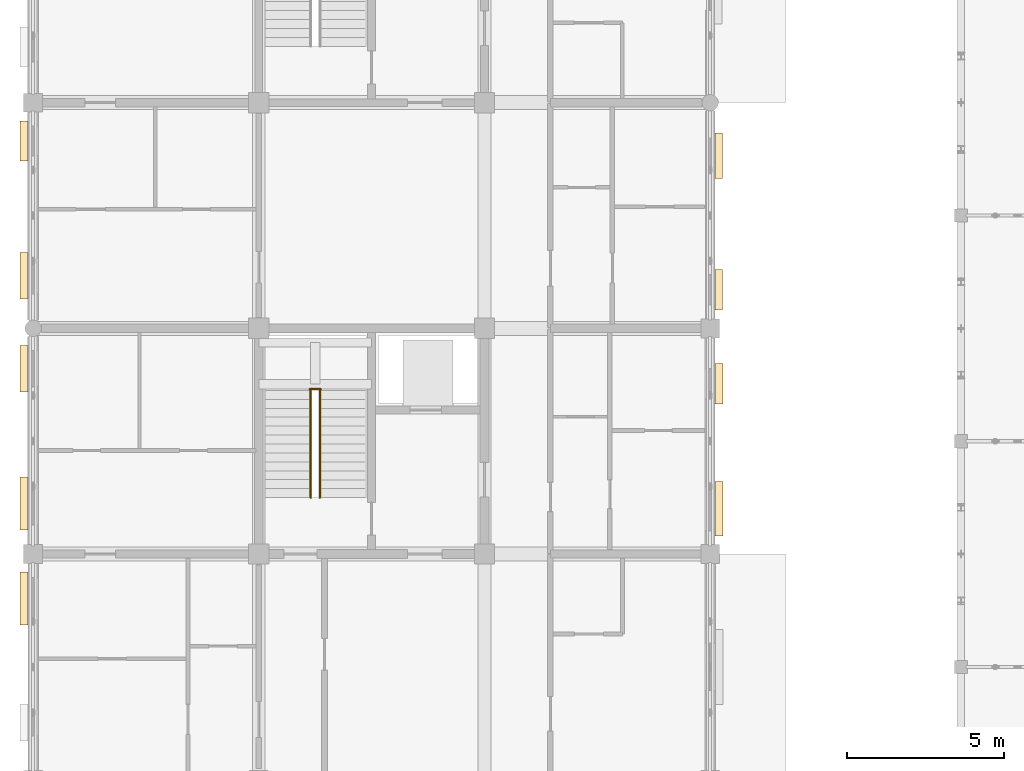
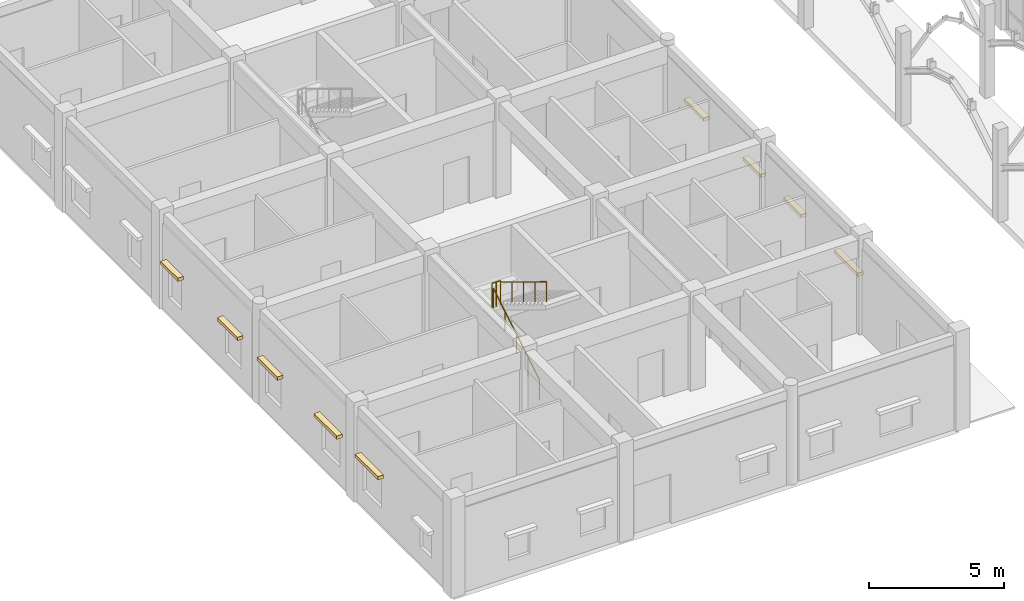
# One storey, part 129 of 138: 9 coverings, 3 railings.
"""IFC4 building model written with IfcOpenShell, lengths in metres."""

from ifc_helpers import new_model, si_unit, direction, frame, origin, origin_2d, place, context, subcontext, project, spatial, rectangle, circle, extrude, material, layer, layer_set, type_object, element, save


model = new_model("IFC4")

# Units and contexts
model_context = context("Model", 3, precision=1e-05, world=origin(), true_north=direction((0.0, 1.0)))
body_context = subcontext(model_context, "Body", "Model", "MODEL_VIEW")
ifc_project = project(units=[si_unit("LENGTHUNIT", "METRE"), si_unit("AREAUNIT", "SQUARE_METRE"), si_unit("VOLUMEUNIT", "CUBIC_METRE"), si_unit("PLANEANGLEUNIT", "RADIAN"), si_unit("MASSUNIT", "GRAM", prefix="KILO"), si_unit("THERMODYNAMICTEMPERATUREUNIT", "KELVIN"), si_unit("POWERUNIT", "WATT")], contexts=[model_context])

# Site, building, storey
site_placement = place(None, origin())
site = spatial("IfcSite", under=ifc_project, at=site_placement, CompositionType="ELEMENT")
building_placement = place(site_placement, origin())
building = spatial("IfcBuilding", under=site, at=building_placement, Name="Tavuni Mirador Residences", CompositionType="ELEMENT")
storey_placement = place(building_placement, origin())
storey = spatial("IfcBuildingStorey", under=building, at=storey_placement, Name="L00", CompositionType="ELEMENT", Elevation=0.0)

# Coverings
ifc_material_1 = material(Name="Natural coral limestone", Category="masonry")
ifc_layer = layer(ifc_material_1, 0.054931640625, Name="Natural coral limestone", Category="masonry")
ifc_layer_set = layer_set([ifc_layer], Name="Natural coral limestone")
covering_type = type_object("IfcCoveringType", Name="CVT-CLAD-CORAL", PredefinedType="CLADDING", material=ifc_layer_set)
covering_1_placement = place(storey_placement, frame((25.4794921875, 73.449951171875, 1.955078125), z_axis=(0.0, 0.0, 1.0), x_axis=(0.0, 1.0, 0.0)))
element("IfcCovering", 1, at=covering_1_placement, inside=storey, type_object=covering_type, Name="HOOD-0320", PredefinedType="CLADDING", context=body_context, shape_type="SweptSolid", body=[
    extrude(rectangle(XDim=1.739990234375, YDim=0.25, at=origin_2d()), origin(), (0.0, 0.0, 1.0), 0.14990234375),
])
for number, where, z_axis, x_axis, name in (
    (2, (25.4794921875, 77.429931640625, 2.06494140625), (0.0, 0.0, 1.0), (0.0, 1.0, 0.0), "HOOD-0321"),
    (3, (25.474609375, 80.429931640625, 2.06494140625), (0.0, 0.0, 1.0), (0.0, 1.0, 0.0), "HOOD-0322"),
):
    element("IfcCovering", number, at=place(storey_placement, frame(where, z_axis=z_axis, x_axis=x_axis)), inside=storey, type_object=covering_type, Name=name, PredefinedType="CLADDING", context=body_context, shape_type="SweptSolid", body=[
        extrude(rectangle(XDim=1.300048828125, YDim=0.25, at=origin_2d()), origin(), (0.0, 0.0, 1.0), 0.14990234375),
    ])
covering_2_placement = place(storey_placement, frame((25.474609375, 84.7099609375, 2.06494140625), z_axis=(0.0, 0.0, 1.0), x_axis=(0.0, 1.0, 0.0)))
element("IfcCovering", 4, at=covering_2_placement, inside=storey, type_object=covering_type, Name="HOOD-0323", PredefinedType="CLADDING", context=body_context, shape_type="SweptSolid", body=[
    extrude(rectangle(XDim=1.4599609375, YDim=0.25, at=origin_2d()), origin(), (0.0, 0.0, 1.0), 0.14990234375),
])
covering_3_placement = place(storey_placement, frame((3.305419921875, 85.179931640625, 2.2451171875), z_axis=(0.0, 0.0, 1.0), x_axis=(0.0, -1.0, 0.0)))
element("IfcCovering", 5, at=covering_3_placement, inside=storey, type_object=covering_type, Name="HOOD-0336", PredefinedType="CLADDING", context=body_context, shape_type="SweptSolid", body=[
    extrude(rectangle(XDim=1.280029296875, YDim=0.25, at=origin_2d()), origin(), (0.0, 0.0, 1.0), 0.14990234375),
])
for number, where, z_axis, x_axis, name in (
    (6, (3.305419921875, 80.875, 2.2451171875), (0.0, 0.0, 1.0), (0.0, -1.0, 0.0), "HOOD-0337"),
    (7, (3.305419921875, 77.9150390625, 2.2451171875), (0.0, 0.0, 1.0), (0.0, -1.0, 0.0), "HOOD-0338"),
):
    element("IfcCovering", number, at=place(storey_placement, frame(where, z_axis=z_axis, x_axis=x_axis)), inside=storey, type_object=covering_type, Name=name, PredefinedType="CLADDING", context=body_context, shape_type="SweptSolid", body=[
        extrude(rectangle(XDim=1.489990234375, YDim=0.25, at=origin_2d()), origin(), (0.0, 0.0, 1.0), 0.14990234375),
    ])
for number, where, z_axis, x_axis, name in (
    (8, (3.305419921875, 73.614990234375, 2.2451171875), (0.0, 0.0, 1.0), (0.0, -1.0, 0.0), "HOOD-0339"),
    (9, (3.31298828125, 70.574951171875, 2.2451171875), (0.0, 0.0, 1.0), (0.0, -1.0, 0.0), "HOOD-0340"),
):
    element("IfcCovering", number, at=place(storey_placement, frame(where, z_axis=z_axis, x_axis=x_axis)), inside=storey, type_object=covering_type, Name=name, PredefinedType="CLADDING", context=body_context, shape_type="SweptSolid", body=[
        extrude(rectangle(XDim=1.68994140625, YDim=0.25, at=origin_2d()), origin(), (0.0, 0.0, 1.0), 0.14990234375),
    ])

# Railings
ifc_material_2 = material(Name="Structural steel S355", Category="steel")
railing_type_1 = type_object("IfcRailingType", Name="RT-GR1120", PredefinedType="GUARDRAIL", material=ifc_material_2)
railing_1_placement = place(storey_placement, frame((12.419921875, 77.260009765625, 2.25)))
element("IfcRailing", 10, at=railing_1_placement, inside=storey, type_object=railing_type_1, Name="GRD-HL-ST3-L00", PredefinedType="GUARDRAIL", context=body_context, shape_type="SweptSolid", body=[
    extrude(circle(Radius=0.02392578125, at=origin_2d()), frame((0.0, 0.0, 1.09619140625), z_axis=(1.0, 0.0, 0.0), x_axis=(0.0, 1.0, 0.0)), (0.0, 0.0, 1.0), 0.360107421875),
    extrude(circle(Radius=0.02099609375, at=origin_2d()), origin(), (0.0, 0.0, 1.0), 1.072021484375),
    extrude(circle(Radius=0.02099609375, at=origin_2d()), frame((0.18017578125, 0.0, 0.0)), (0.0, 0.0, 1.0), 1.072021484375),
    extrude(circle(Radius=0.02099609375, at=origin_2d()), frame((0.360107421875, 0.0, 0.0)), (0.0, 0.0, 1.0), 1.072021484375),
])
railing_type_2 = type_object("IfcRailingType", Name="RT-HR920", PredefinedType="HANDRAIL", material=ifc_material_2)
railing_2_placement = place(storey_placement, frame((12.449951171875, 73.800048828125, 0.173095703125)))
element("IfcRailing", 11, at=railing_2_placement, inside=storey, type_object=railing_type_2, Name="HR-ST3-L00-F1", PredefinedType="HANDRAIL", context=body_context, shape_type="SweptSolid", body=[
    extrude(circle(Radius=0.02392578125, at=origin_2d()), frame((0.0, 0.0, 0.89599609375), z_axis=(0.0, 0.854729506542, 0.519073665916), x_axis=(-1.0, 0.0, 0.0)), (0.0, 0.0, 1.0), 4.001220703125),
    extrude(circle(Radius=0.02099609375, at=origin_2d()), origin(), (0.0, 0.0, 1.0), 0.871826171875),
    extrude(circle(Radius=0.02099609375, at=origin_2d()), frame((0.0, 0.85498046875, 0.519287109375)), (0.0, 0.0, 1.0), 0.871826171875),
    extrude(circle(Radius=0.02099609375, at=origin_2d()), frame((0.0, 1.7099609375, 1.03857421875)), (0.0, 0.0, 1.0), 0.871826171875),
    extrude(circle(Radius=0.02099609375, at=origin_2d()), frame((0.0, 2.56494140625, 1.5576171875)), (0.0, 0.0, 1.0), 0.871826171875),
    extrude(circle(Radius=0.02099609375, at=origin_2d()), frame((0.0, 3.419921875, 2.076904296875)), (0.0, 0.0, 1.0), 0.871826171875),
])
railing_3_placement = place(storey_placement, frame((12.75, 77.219970703125, 2.423095703125)))
element("IfcRailing", 12, at=railing_3_placement, inside=storey, type_object=railing_type_2, Name="HR-ST3-L00-F2", PredefinedType="HANDRAIL", context=body_context, shape_type="SweptSolid", body=[
    extrude(circle(Radius=0.02392578125, at=origin_2d()), frame((0.0, 0.0, 0.89599609375), z_axis=(0.0, -0.854729506542, 0.519073665916), x_axis=(1.0, 0.0, 0.0)), (0.0, 0.0, 1.0), 4.001220703125),
    extrude(circle(Radius=0.02099609375, at=origin_2d()), origin(), (0.0, 0.0, 1.0), 0.871826171875),
    extrude(circle(Radius=0.02099609375, at=origin_2d()), frame((0.0, -0.85498046875, 0.519287109375)), (0.0, 0.0, 1.0), 0.871826171875),
    extrude(circle(Radius=0.02099609375, at=origin_2d()), frame((0.0, -1.7099609375, 1.03857421875)), (0.0, 0.0, 1.0), 0.871826171875),
    extrude(circle(Radius=0.02099609375, at=origin_2d()), frame((0.0, -2.56494140625, 1.5576171875)), (0.0, 0.0, 1.0), 0.871826171875),
    extrude(circle(Radius=0.02099609375, at=origin_2d()), frame((0.0, -3.419921875, 2.076904296875)), (0.0, 0.0, 1.0), 0.871826171875),
])

save(model, "model.ifc")
